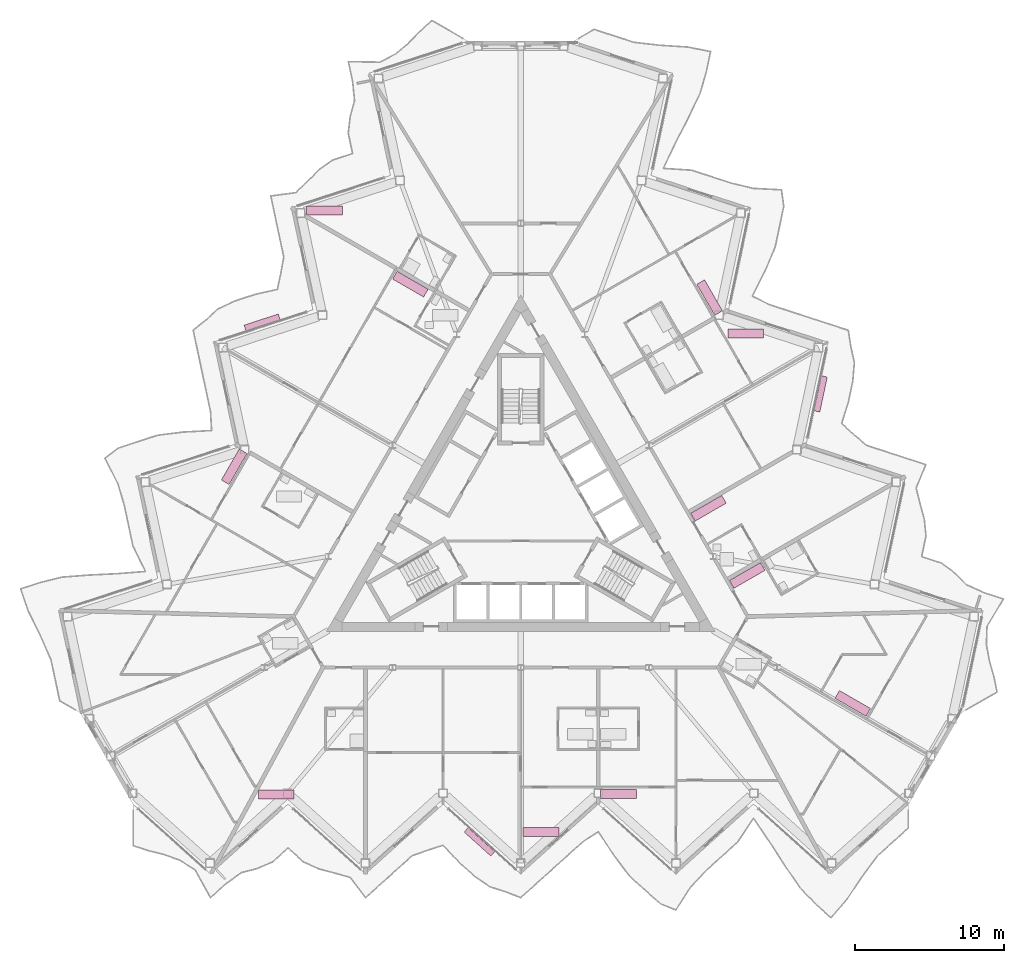
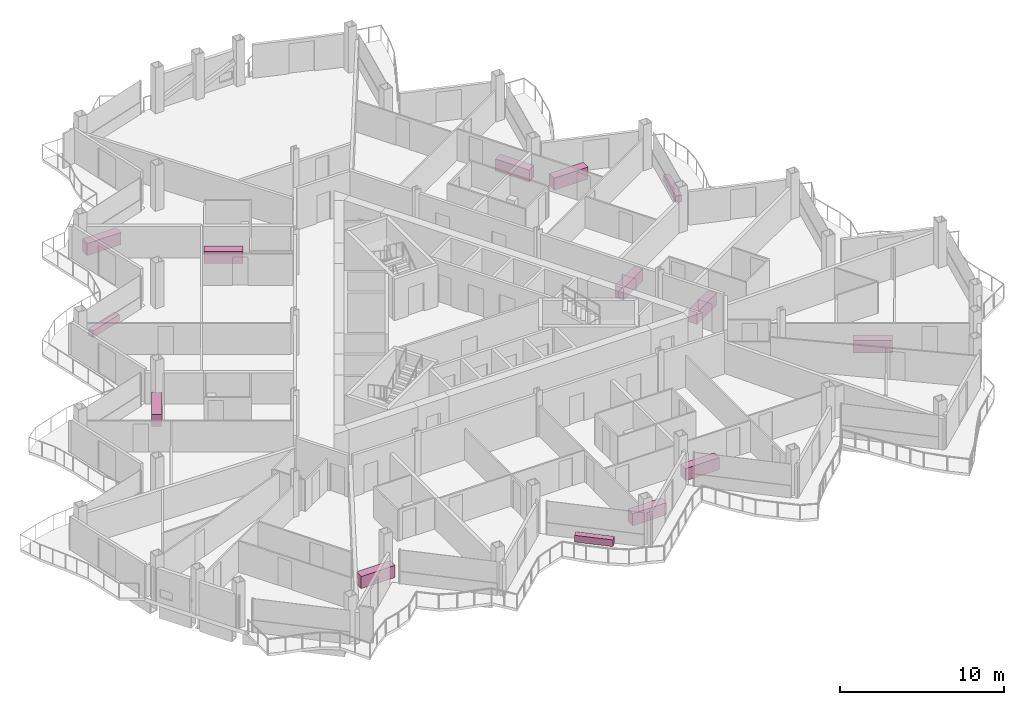
# One storey, part 28 of 28: 14 furniture elements.
"""IFC4 building model written with IfcOpenShell, lengths in metres."""

from ifc_helpers import new_model, si_unit, direction, frame, origin, origin_2d, place, context, subcontext, project, spatial, rectangle, extrude, material, type_object, element, save


model = new_model("IFC4")

# Units and contexts
model_context = context("Model", 3, precision=1e-05, world=origin(), true_north=direction((0.0, 1.0)))
body_context = subcontext(model_context, "Body", "Model", "MODEL_VIEW")
ifc_project = project(units=[si_unit("LENGTHUNIT", "METRE"), si_unit("AREAUNIT", "SQUARE_METRE"), si_unit("VOLUMEUNIT", "CUBIC_METRE"), si_unit("PLANEANGLEUNIT", "RADIAN"), si_unit("MASSUNIT", "GRAM", prefix="KILO")], contexts=[model_context])

# Site, building, storey
site_placement = place(None, origin())
site = spatial("IfcSite", under=ifc_project, at=site_placement, CompositionType="ELEMENT")
building_placement = place(site_placement, origin())
building = spatial("IfcBuilding", under=site, at=building_placement, Name="Cormorant Prow Tower", CompositionType="ELEMENT")
storey_placement = place(building_placement, frame((0.0, 0.0, 301.800048828125)))
storey = spatial("IfcBuildingStorey", under=building, at=storey_placement, Name="L65", CompositionType="ELEMENT", Elevation=301.800048828125)

# Furniture
ifc_material_1 = material(Name="Terracotta", Category="masonry")
furniture_type_1 = type_object("IfcFurnitureType", Name="Balcony planter 2400x400x500", AssemblyPlace="NOTDEFINED", PredefinedType="USERDEFINED", material=ifc_material_1)
for number, where, z_axis, x_axis, name in (
    (1, (-2.7626953125, -21.57763671875, 0.0), (0.0, 0.0, 1.0), (0.743144844712, -0.669130584997, 0.0), "Balcony planter S04"),
    (2, (20.068115234375, 8.396240234375, 0.0), (0.0, 0.0, 1.0), (0.207911691808, 0.978147600523, 0.0), "Balcony planter ENE04"),
    (3, (-17.305419921875, 13.181396484375, 0.0), (0.0, 0.0, 1.0), (-0.951056501528, -0.309017039823, 0.0), "Balcony planter WNW04"),
):
    element("IfcFurniture", number, at=place(storey_placement, frame(where, z_axis=z_axis, x_axis=x_axis)), inside=storey, type_object=furniture_type_1, Name=name, ObjectType="PLANTER", PredefinedType="USERDEFINED", context=body_context, shape_type="SweptSolid", body=[
        extrude(rectangle(XDim=2.39990234375, YDim=0.39990234375, at=origin_2d()), origin(), (0.0, 0.0, 1.0), 0.5),
    ])
ifc_material_2 = material(Name="Timber joinery", Category="wood")
furniture_type_2 = type_object("IfcFurnitureType", Name="Kitchen counter 2400x600", AssemblyPlace="NOTDEFINED", PredefinedType="NOTDEFINED", material=ifc_material_2)
for number, where, z_axis, x_axis, name in (
    (4, (-16.36328125, -18.41552734375, 0.0), (0.0, 0.0, 1.0), (1.0, 0.0, 0.0), "Kitchen counter"),
    (5, (1.344970703125, -20.91552734375, 0.0), (0.0, 0.0, 1.0), (1.0, 0.0, 0.0), "Kitchen counter"),
    (6, (6.535888671875, -18.369384765625, 0.0), (0.0, 0.0, 1.0), (1.0, 0.0, 0.0), "Kitchen counter"),
    (7, (22.215576171875, -12.312255859375, 0.0), (0.0, 0.0, 1.0), (-0.866025403784, 0.5, 0.0), "Kitchen counter"),
    (8, (15.15673828125, -3.751220703125, 0.0), (0.0, 0.0, 1.0), (0.866025403784, 0.5, 0.0), "Kitchen counter"),
    (9, (12.561279296875, 0.744384765625, 0.0), (0.0, 0.0, 1.0), (0.866025403784, 0.5, 0.0), "Kitchen counter"),
    (10, (15.05712890625, 12.44189453125, 0.0), (0.0, 0.0, 1.0), (1.0, 0.0, 0.0), "Kitchen counter"),
    (11, (12.640380859375, 14.844970703125, 0.0), (0.0, 0.0, 1.0), (-0.5, 0.866025403784, 0.0), "Kitchen counter"),
    (12, (-13.126708984375, 20.673583984375, 0.0), (0.0, 0.0, 1.0), (1.0, 0.0, 0.0), "Kitchen counter"),
    (13, (-7.3876953125, 15.739501953125, 0.0), (0.0, 0.0, 1.0), (0.866025403784, -0.5, 0.0), "Kitchen counter"),
    (14, (-19.17626953125, 3.5244140625, 0.0), (0.0, 0.0, 1.0), (-0.5, -0.866025403784, 0.0), "Kitchen counter"),
):
    element("IfcFurniture", number, at=place(storey_placement, frame(where, z_axis=z_axis, x_axis=x_axis)), inside=storey, type_object=furniture_type_2, Name=name, PredefinedType="NOTDEFINED", context=body_context, shape_type="SweptSolid", body=[
        extrude(rectangle(XDim=2.39990234375, YDim=0.60009765625, at=origin_2d()), origin(), (0.0, 0.0, 1.0), 0.89990234375),
    ])

save(model, "model.ifc")
